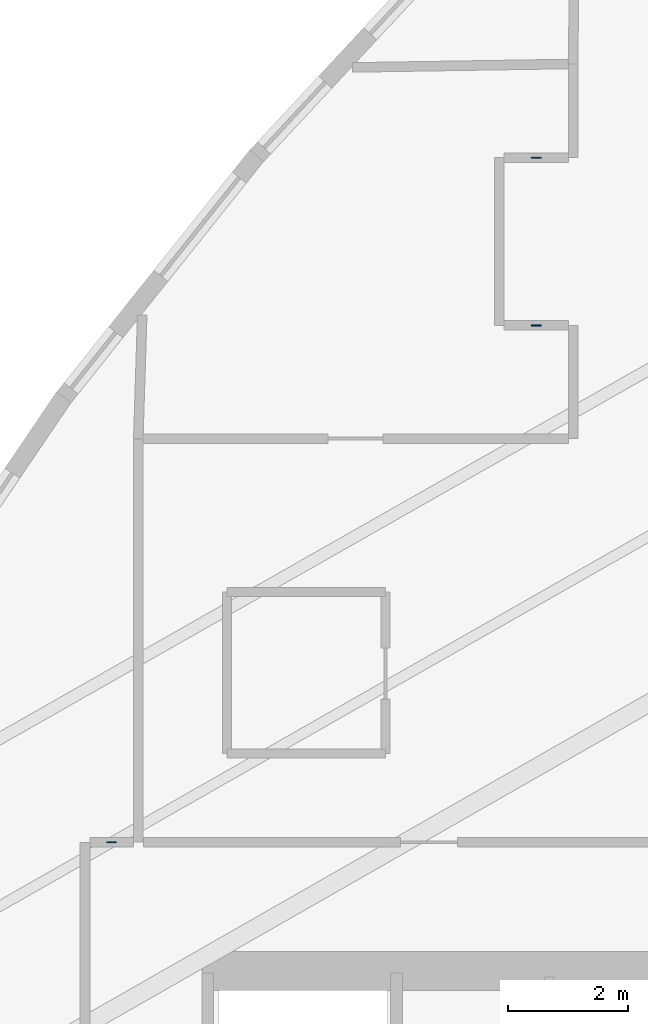
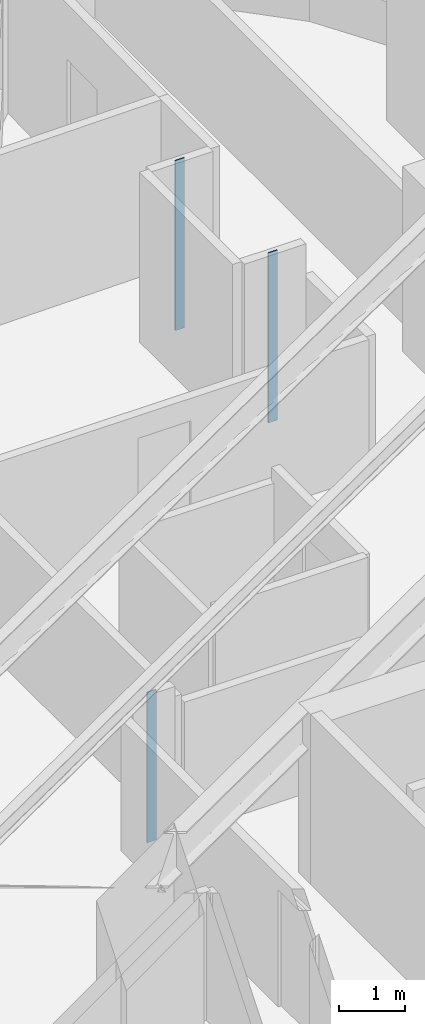
# One storey, part 6 of 15: 3 plates.
"""IFC4 building model written with IfcOpenShell, lengths in metres."""

from ifc_helpers import new_model, si_unit, direction, frame, origin, origin_2d, place, context, subcontext, project, spatial, rectangle, extrude, material, layer, layer_set, type_object, element, save


model = new_model("IFC4")

# Units and contexts
model_context = context("Model", 3, precision=1e-05, world=origin(), true_north=direction((0.0, 1.0)))
body_context = subcontext(model_context, "Body", "Model", "MODEL_VIEW")
ifc_project = project(units=[si_unit("LENGTHUNIT", "METRE"), si_unit("AREAUNIT", "SQUARE_METRE"), si_unit("VOLUMEUNIT", "CUBIC_METRE"), si_unit("PLANEANGLEUNIT", "RADIAN"), si_unit("MASSUNIT", "GRAM", prefix="KILO")], contexts=[model_context])

# Site, building, storey
site_placement = place(None, origin())
site = spatial("IfcSite", under=ifc_project, at=site_placement, CompositionType="ELEMENT")
building_placement = place(site_placement, origin())
building = spatial("IfcBuilding", under=site, at=building_placement, Name="Miruveldt Soraemaru", CompositionType="ELEMENT")
storey_placement = place(building_placement, frame((0.0, 0.0, 83.60009765625)))
storey = spatial("IfcBuildingStorey", under=building, at=storey_placement, Name="L23", CompositionType="ELEMENT", Elevation=83.60009765625)

# Plates
ifc_material = material(Name="Anodised aluminium EN AW-6063 T6", Category="aluminium")
ifc_layer = layer(ifc_material, 0.02001953125, Name="Anodised aluminium EN AW-6063 T6", Category="aluminium")
ifc_layer_set = layer_set([ifc_layer], Name="Anodised aluminium EN AW-6063 T6")
plate_type = type_object("IfcPlateType", Name="PLT-PART-TRIM", PredefinedType="SHEET", material=ifc_layer_set)
for number, where, z_axis, x_axis, name in (
    (1, (40.93505859375, 66.030029296875, 0.0), (0.0, 0.0, 1.0), (-1.0, 0.0, 0.0), "L23 Partition Step Corner Trim Plate 026"),
    (2, (40.93505859375, 63.22998046875, 0.0), (0.0, 0.0, 1.0), (1.0, 0.0, 0.0), "L23 Partition Step Corner Trim Plate 028"),
):
    element("IfcPlate", number, at=place(storey_placement, frame(where, z_axis=z_axis, x_axis=x_axis)), inside=storey, type_object=plate_type, Name=name, PredefinedType="SHEET", context=body_context, shape_type="SweptSolid", body=[
        extrude(rectangle(XDim=0.159912109375, YDim=0.02001953125, at=origin_2d()), origin(), (0.0, 0.0, 1.0), 3.125),
    ])
plate_placement = place(storey_placement, frame((33.844970703125, 54.60009765625, 0.0), z_axis=(0.0, 0.0, 1.0), x_axis=(-1.0, 0.0, 0.0)))
element("IfcPlate", 3, at=plate_placement, inside=storey, type_object=plate_type, Name="L23 Partition Step Corner Trim Plate 001", PredefinedType="SHEET", context=body_context, shape_type="SweptSolid", body=[
    extrude(rectangle(XDim=0.159912109375, YDim=0.02001953125, at=origin_2d()), origin(), (0.0, 0.0, 1.0), 2.762939453125),
])

save(model, "model.ifc")
